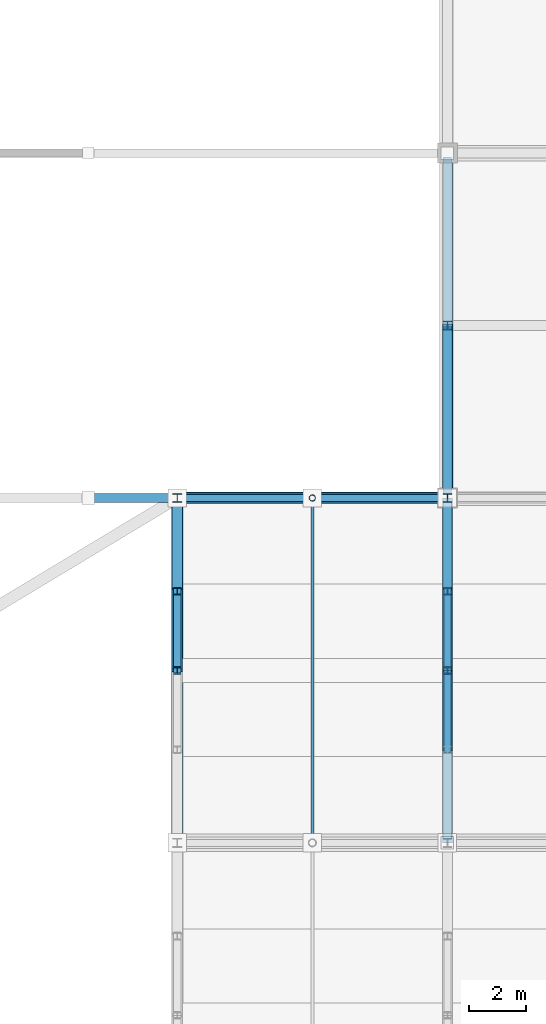
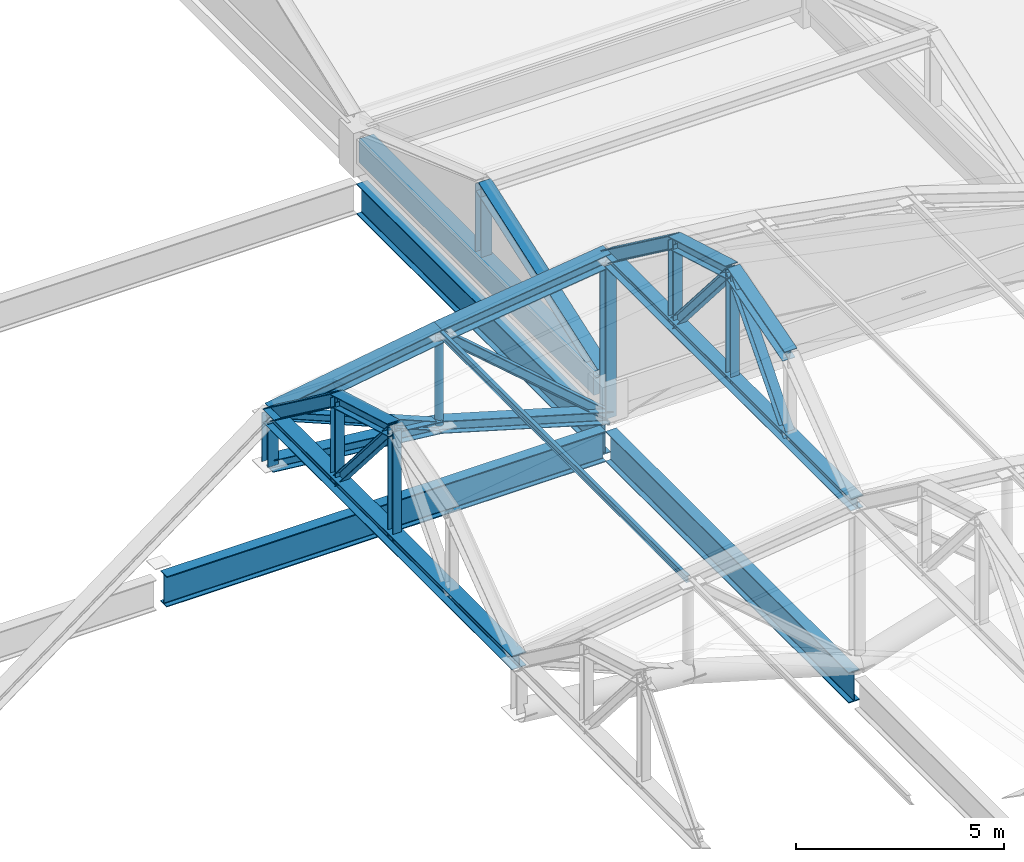
# One storey, part 74 of 117: 26 members, 4 beams.
"""IFC4 building model written with IfcOpenShell, lengths in metres."""

from ifc_helpers import new_model, si_unit, direction, frame, origin, origin_2d, place, context, subcontext, project, spatial, rectangle, hollow_circle, i_section, extrude, material, material_profile, profile_set, type_object, element, save


model = new_model("IFC4")

# Units and contexts
model_context = context("Model", 3, precision=1e-05, world=origin(), true_north=direction((0.0, 1.0)))
body_context = subcontext(model_context, "Body", "Model", "MODEL_VIEW")
ifc_project = project(units=[si_unit("LENGTHUNIT", "METRE"), si_unit("AREAUNIT", "SQUARE_METRE"), si_unit("VOLUMEUNIT", "CUBIC_METRE"), si_unit("PLANEANGLEUNIT", "RADIAN"), si_unit("MASSUNIT", "GRAM", prefix="KILO")], contexts=[model_context])

# Site, building, storey
site_placement = place(None, origin())
site = spatial("IfcSite", under=ifc_project, at=site_placement, CompositionType="ELEMENT")
building_placement = place(site_placement, origin())
building = spatial("IfcBuilding", under=site, at=building_placement, Name="Kazenohara Klinker Stadium", CompositionType="ELEMENT")
storey_placement = place(building_placement, frame((0.0, 0.0, 31.199951171875)))
storey = spatial("IfcBuildingStorey", under=building, at=storey_placement, Name="RF", CompositionType="ELEMENT", Elevation=31.199951171875)

# Beam
ifc_material_1 = material(Name="Concrete C40/50", Category="concrete")
ifc_material_profile_1 = material_profile(ifc_material_1, rectangle(XDim=0.39990234375, YDim=0.699951171875, at=origin_2d()), Name="RC-BM-400x700")
ifc_profile_set_1 = profile_set([ifc_material_profile_1], Name="Concrete C40/50")
beam_type_1 = type_object("IfcBeamType", Name="BM-RC04", PredefinedType="BEAM", material=ifc_profile_set_1)
beam_1_placement = place(storey_placement, frame((175.0, 132.35009765625, 0.75), z_axis=(0.0, 1.0, 0.0), x_axis=(-1.0, 0.0, 0.0)))
element("IfcBeam", 1, at=beam_1_placement, inside=storey, type_object=beam_type_1, Name="Turret crown eave girder BG04 RF Y14-11", PredefinedType="BEAM", context=body_context, shape_type="SweptSolid", body=[
    extrude(rectangle(XDim=0.39990234375, YDim=0.699951171875, at=origin_2d()), origin(), (0.0, 0.0, 1.0), 11.2998046875),
])

# Members
ifc_material_2 = material(Name="Steel S355", Category="steel")
ifc_material_profile_2 = material_profile(ifc_material_2, i_section(OverallWidth=0.25, OverallDepth=0.25, WebThickness=0.009033203125, FlangeThickness=0.013916015625, FilletRadius=0.012939453125, at=origin_2d()), Name="H-250x250x9x14")
ifc_profile_set_2 = profile_set([ifc_material_profile_2], Name="Steel S355")
member_type_1 = type_object("IfcMemberType", Name="MEM-BRC02", PredefinedType="BRACE", material=ifc_profile_set_2)
member_1_placement = place(storey_placement, frame((175.0, 132.0, -0.02001953125), z_axis=(-0.755945561544, 0.0, 0.65463448426), x_axis=(0.0, -1.0, 0.0)))
element("IfcMember", 2, at=member_1_placement, inside=storey, type_object=member_type_1, Name="ROOF TRUSS RT-E08 web diagonal 4", PredefinedType="BRACE", context=body_context, shape_type="SweptSolid", body=[
    extrude(i_section(OverallWidth=0.25, OverallDepth=0.25, WebThickness=0.009033203125, FlangeThickness=0.013916015625, FilletRadius=0.012939453125, at=origin_2d()), origin(), (0.0, 0.0, 1.0), 6.21728515625),
])
member_2_placement = place(storey_placement, frame((170.300048828125, 132.0, 1.35009765625), z_axis=(-0.923659284192, 0.0, 0.383214726655), x_axis=(0.0, -1.0, 0.0)))
element("IfcMember", 3, at=member_2_placement, inside=storey, type_object=member_type_1, Name="ROOF TRUSS RT-E08 web diagonal 5", PredefinedType="BRACE", context=body_context, shape_type="SweptSolid", body=[
    extrude(i_section(OverallWidth=0.25, OverallDepth=0.25, WebThickness=0.009033203125, FlangeThickness=0.013916015625, FilletRadius=0.012939453125, at=origin_2d()), origin(), (0.0, 0.0, 1.0), 5.08837890625),
])
ifc_material_profile_3 = material_profile(ifc_material_2, i_section(OverallWidth=0.39990234375, OverallDepth=0.39990234375, WebThickness=0.012939453125, FlangeThickness=0.02099609375, FilletRadius=0.02197265625, at=origin_2d()), Name="H-400x400x13x21")
ifc_profile_set_3 = profile_set([ifc_material_profile_3], Name="Steel S355")
member_type_2 = type_object("IfcMemberType", Name="MEM-CHD01", PredefinedType="CHORD", material=ifc_profile_set_3)
member_3_placement = place(storey_placement, frame((175.0, 132.0, 4.650146484375), z_axis=(-0.99194702514, 0.0, -0.126653461524), x_axis=(0.0, -1.0, 0.0)))
element("IfcMember", 4, at=member_3_placement, inside=storey, type_object=member_type_2, Name="ROOF TRUSS RT-E08 top arched chord 4", PredefinedType="CHORD", context=body_context, shape_type="SweptSolid", body=[
    extrude(i_section(OverallWidth=0.39990234375, OverallDepth=0.39990234375, WebThickness=0.012939453125, FlangeThickness=0.02099609375, FilletRadius=0.02197265625, at=origin_2d()), origin(), (0.0, 0.0, 1.0), 4.738037109375),
])
member_4_placement = place(storey_placement, frame((170.300048828125, 132.0, 4.050048828125), z_axis=(-0.987505848374, 0.0, -0.157582357602), x_axis=(0.0, -1.0, 0.0)))
element("IfcMember", 5, at=member_4_placement, inside=storey, type_object=member_type_2, Name="ROOF TRUSS RT-E08 top arched chord 5", PredefinedType="CHORD", context=body_context, shape_type="SweptSolid", body=[
    extrude(i_section(OverallWidth=0.39990234375, OverallDepth=0.39990234375, WebThickness=0.012939453125, FlangeThickness=0.02099609375, FilletRadius=0.02197265625, at=origin_2d()), origin(), (0.0, 0.0, 1.0), 4.759521484375),
])
member_5_placement = place(storey_placement, frame((165.60009765625, 132.0, 3.300048828125), z_axis=(0.0, -1.0, 0.0), x_axis=(1.0, 0.0, 0.0)))
element("IfcMember", 6, at=member_5_placement, inside=storey, type_object=member_type_2, Name="Inner tension ring chord TC01 segment 17", PredefinedType="CHORD", context=body_context, shape_type="SweptSolid", body=[
    extrude(i_section(OverallWidth=0.39990234375, OverallDepth=0.39990234375, WebThickness=0.012939453125, FlangeThickness=0.02099609375, FilletRadius=0.02197265625, at=origin_2d()), origin(), (0.0, 0.0, 1.0), 12.0),
])
ifc_material_profile_4 = material_profile(ifc_material_2, i_section(OverallWidth=0.35009765625, OverallDepth=0.35009765625, WebThickness=0.011962890625, FlangeThickness=0.01904296875, FilletRadius=0.012939453125, at=origin_2d()), Name="H-350x350x12x19")
ifc_profile_set_4 = profile_set([ifc_material_profile_4], Name="Steel S355")
member_type_3 = type_object("IfcMemberType", Name="MEM-CHD02", PredefinedType="CHORD", material=ifc_profile_set_4)
member_6_placement = place(storey_placement, frame((175.0, 132.25, 1.080078125), z_axis=(0.0, 0.943473005792, 0.331449373723), x_axis=(-1.0, 0.0, 0.0)))
element("IfcMember", 7, at=member_6_placement, inside=storey, type_object=member_type_3, Name="Crown gable rafter GT3-SW W South", PredefinedType="CHORD", context=body_context, shape_type="SweptSolid", body=[
    extrude(i_section(OverallWidth=0.35009765625, OverallDepth=0.35009765625, WebThickness=0.011962890625, FlangeThickness=0.01904296875, FilletRadius=0.012939453125, at=origin_2d()), origin(), (0.0, 0.0, 1.0), 6.094482421875),
])
member_7_placement = place(storey_placement, frame((175.0, 132.0, -0.02001953125), z_axis=(-0.960038530088, 0.0, 0.279867863012), x_axis=(0.0, -1.0, 0.0)))
element("IfcMember", 8, at=member_7_placement, inside=storey, type_object=member_type_3, Name="ROOF TRUSS RT-E08 bottom arched chord 4", PredefinedType="CHORD", context=body_context, shape_type="SweptSolid", body=[
    extrude(i_section(OverallWidth=0.35009765625, OverallDepth=0.35009765625, WebThickness=0.011962890625, FlangeThickness=0.01904296875, FilletRadius=0.012939453125, at=origin_2d()), origin(), (0.0, 0.0, 1.0), 4.8955078125),
])
member_8_placement = place(storey_placement, frame((170.300048828125, 132.0, 1.35009765625), z_axis=(-0.99438879757, 0.0, 0.105787141313), x_axis=(0.0, -1.0, 0.0)))
element("IfcMember", 9, at=member_8_placement, inside=storey, type_object=member_type_3, Name="ROOF TRUSS RT-E08 bottom arched chord 5", PredefinedType="CHORD", context=body_context, shape_type="SweptSolid", body=[
    extrude(i_section(OverallWidth=0.35009765625, OverallDepth=0.35009765625, WebThickness=0.011962890625, FlangeThickness=0.01904296875, FilletRadius=0.012939453125, at=origin_2d()), origin(), (0.0, 0.0, 1.0), 4.7265625),
])
member_9_placement = place(storey_placement, frame((175.0, 120.0, 4.650146484375), z_axis=(0.0, 1.0, 0.0), x_axis=(-1.0, 0.0, 0.0)))
element("IfcMember", 10, at=member_9_placement, inside=storey, type_object=member_type_3, Name="Barrel arch tie chord TC02 E-07-N3", PredefinedType="CHORD", context=body_context, shape_type="SweptSolid", body=[
    extrude(i_section(OverallWidth=0.35009765625, OverallDepth=0.35009765625, WebThickness=0.011962890625, FlangeThickness=0.01904296875, FilletRadius=0.012939453125, at=origin_2d()), origin(), (0.0, 0.0, 1.0), 12.0),
])
for number, where, z_axis, x_axis, name in (
    (11, (175.0, 123.239990234375, 7.050048828125), (0.0, 0.960462085918, 0.27841081429), (-1.0, 0.0, 0.0), "Barrel arch top rib TC02 E-07-N3-S2"),
    (12, (175.0, 126.0, 7.85009765625), (0.0, 0.960462085918, -0.27841081429), (-1.0, 0.0, 0.0), "Barrel arch top rib TC02 E-07-N3-S3"),
):
    element("IfcMember", number, at=place(storey_placement, frame(where, z_axis=z_axis, x_axis=x_axis)), inside=storey, type_object=member_type_3, Name=name, PredefinedType="CHORD", context=body_context, shape_type="SweptSolid", body=[
        extrude(i_section(OverallWidth=0.35009765625, OverallDepth=0.35009765625, WebThickness=0.011962890625, FlangeThickness=0.01904296875, FilletRadius=0.012939453125, at=origin_2d()), origin(), (0.0, 0.0, 1.0), 2.87353515625),
    ])
member_10_placement = place(storey_placement, frame((175.0, 128.760009765625, 7.050048828125), z_axis=(0.0, 0.803567919639, -0.595213069856), x_axis=(-1.0, 0.0, 0.0)))
element("IfcMember", 13, at=member_10_placement, inside=storey, type_object=member_type_3, Name="Barrel arch top rib TC02 E-07-N3-S4", PredefinedType="CHORD", context=body_context, shape_type="SweptSolid", body=[
    extrude(i_section(OverallWidth=0.35009765625, OverallDepth=0.35009765625, WebThickness=0.011962890625, FlangeThickness=0.01904296875, FilletRadius=0.012939453125, at=origin_2d()), origin(), (0.0, 0.0, 1.0), 4.031982421875),
])
member_11_placement = place(storey_placement, frame((165.60009765625, 126.0, 6.5), z_axis=(0.0, 0.960462085918, -0.27841081429), x_axis=(-1.0, 0.0, 0.0)))
element("IfcMember", 14, at=member_11_placement, inside=storey, type_object=member_type_3, Name="Barrel arch top rib TC02 E-07-N5-S3", PredefinedType="CHORD", context=body_context, shape_type="SweptSolid", body=[
    extrude(i_section(OverallWidth=0.35009765625, OverallDepth=0.35009765625, WebThickness=0.011962890625, FlangeThickness=0.01904296875, FilletRadius=0.012939453125, at=origin_2d()), origin(), (0.0, 0.0, 1.0), 2.87353515625),
])
member_12_placement = place(storey_placement, frame((165.60009765625, 128.760009765625, 5.699951171875), z_axis=(0.0, 0.803567919639, -0.595213069856), x_axis=(-1.0, 0.0, 0.0)))
element("IfcMember", 15, at=member_12_placement, inside=storey, type_object=member_type_3, Name="Barrel arch top rib TC02 E-07-N5-S4", PredefinedType="CHORD", context=body_context, shape_type="SweptSolid", body=[
    extrude(i_section(OverallWidth=0.35009765625, OverallDepth=0.35009765625, WebThickness=0.011962890625, FlangeThickness=0.01904296875, FilletRadius=0.012939453125, at=origin_2d()), origin(), (0.0, 0.0, 1.0), 4.031982421875),
])
ifc_material_profile_5 = material_profile(ifc_material_2, i_section(OverallWidth=0.10009765625, OverallDepth=0.199951171875, WebThickness=0.005615234375, FlangeThickness=0.008056640625, FilletRadius=0.008056640625, at=origin_2d()), Name="H-200x100x5.5x8")
ifc_profile_set_5 = profile_set([ifc_material_profile_5], Name="Steel S355")
member_type_4 = type_object("IfcMemberType", Name="MEM-PUR02", PredefinedType="PURLIN", material=ifc_profile_set_5)
member_13_placement = place(storey_placement, frame((170.300048828125, 120.0, 4.070068359375), z_axis=(0.0, 1.0, 0.0), x_axis=(-1.0, 0.0, 0.0)))
element("IfcMember", 16, at=member_13_placement, inside=storey, type_object=member_type_4, Name="Canopy valley tie purlin PR02 E-07-N4", PredefinedType="PURLIN", context=body_context, shape_type="SweptSolid", body=[
    extrude(i_section(OverallWidth=0.10009765625, OverallDepth=0.199951171875, WebThickness=0.005615234375, FlangeThickness=0.008056640625, FilletRadius=0.008056640625, at=origin_2d()), origin(), (0.0, 0.0, 1.0), 12.0),
])
ifc_material_profile_6 = material_profile(ifc_material_2, i_section(OverallWidth=0.300048828125, OverallDepth=0.300048828125, WebThickness=0.010009765625, FlangeThickness=0.014892578125, FilletRadius=0.012939453125, at=origin_2d()), Name="H-300x300x10x15")
ifc_profile_set_6 = profile_set([ifc_material_profile_6], Name="Steel S355")
member_type_5 = type_object("IfcMemberType", Name="MEM-STR01", PredefinedType="STRUT", material=ifc_profile_set_6)
member_14_placement = place(storey_placement, frame((175.0, 138.0, 1.080078125), z_axis=(0.0, 0.0, 1.0), x_axis=(1.0, 0.0, 0.0)))
element("IfcMember", 17, at=member_14_placement, inside=storey, type_object=member_type_5, Name="Crown gable king-post GT3-SW W", PredefinedType="STRUT", context=body_context, shape_type="SweptSolid", body=[
    extrude(i_section(OverallWidth=0.300048828125, OverallDepth=0.300048828125, WebThickness=0.010009765625, FlangeThickness=0.014892578125, FilletRadius=0.012939453125, at=origin_2d()), origin(), (0.0, 0.0, 1.0), 2.02001953125),
])
member_15_placement = place(storey_placement, frame((175.0, 132.0, -0.02001953125), z_axis=(0.0, 0.0, 1.0), x_axis=(1.0, 0.0, 0.0)))
element("IfcMember", 18, at=member_15_placement, inside=storey, type_object=member_type_5, Name="ROOF TRUSS RT-E08 web post 4", PredefinedType="STRUT", context=body_context, shape_type="SweptSolid", body=[
    extrude(i_section(OverallWidth=0.300048828125, OverallDepth=0.300048828125, WebThickness=0.010009765625, FlangeThickness=0.014892578125, FilletRadius=0.012939453125, at=origin_2d()), origin(), (0.0, 0.0, 1.0), 4.670166015625),
])
member_16_placement = place(storey_placement, frame((165.60009765625, 132.0, 1.85009765625), z_axis=(0.0, 0.0, 1.0), x_axis=(1.0, 0.0, 0.0)))
element("IfcMember", 19, at=member_16_placement, inside=storey, type_object=member_type_5, Name="ROOF TRUSS RT-E08 web post 6", PredefinedType="STRUT", context=body_context, shape_type="SweptSolid", body=[
    extrude(i_section(OverallWidth=0.300048828125, OverallDepth=0.300048828125, WebThickness=0.010009765625, FlangeThickness=0.014892578125, FilletRadius=0.012939453125, at=origin_2d()), origin(), (0.0, 0.0, 1.0), 1.449951171875),
])
ifc_material_profile_7 = material_profile(ifc_material_2, i_section(OverallWidth=0.25, OverallDepth=0.25, WebThickness=0.009033203125, FlangeThickness=0.013916015625, FilletRadius=0.012939453125, at=origin_2d()), Name="H-250x250x9x14")
ifc_profile_set_7 = profile_set([ifc_material_profile_7], Name="Steel S355")
member_type_6 = type_object("IfcMemberType", Name="MEM-STR02", PredefinedType="STRUT", material=ifc_profile_set_7)
member_17_placement = place(storey_placement, frame((175.0, 126.0, 4.650146484375), z_axis=(0.0, 0.0, 1.0), x_axis=(1.0, 0.0, 0.0)))
element("IfcMember", 20, at=member_17_placement, inside=storey, type_object=member_type_6, Name="Barrel arch web post TS02 E-07-N3-P2", PredefinedType="STRUT", context=body_context, shape_type="SweptSolid", body=[
    extrude(i_section(OverallWidth=0.25, OverallDepth=0.25, WebThickness=0.009033203125, FlangeThickness=0.013916015625, FilletRadius=0.012939453125, at=origin_2d()), origin(), (0.0, 0.0, 1.0), 3.199951171875),
])
member_18_placement = place(storey_placement, frame((175.0, 128.760009765625, 4.650146484375), z_axis=(0.0, 0.0, 1.0), x_axis=(1.0, 0.0, 0.0)))
element("IfcMember", 21, at=member_18_placement, inside=storey, type_object=member_type_6, Name="Barrel arch web post TS02 E-07-N3-P3", PredefinedType="STRUT", context=body_context, shape_type="SweptSolid", body=[
    extrude(i_section(OverallWidth=0.25, OverallDepth=0.25, WebThickness=0.009033203125, FlangeThickness=0.013916015625, FilletRadius=0.012939453125, at=origin_2d()), origin(), (0.0, 0.0, 1.0), 2.39990234375),
])
for number, where, z_axis, x_axis, name in (
    (22, (175.0, 123.239990234375, 4.650146484375), (0.0, 0.653133887971, 0.757242447558), (-1.0, 0.0, 0.0), "Barrel arch web diagonal TS02 E-07-N3-D1"),
    (23, (175.0, 128.760009765625, 4.650146484375), (0.0, -0.653133887971, 0.757242447558), (1.0, 0.0, 0.0), "Barrel arch web diagonal TS02 E-07-N3-D2"),
):
    element("IfcMember", number, at=place(storey_placement, frame(where, z_axis=z_axis, x_axis=x_axis)), inside=storey, type_object=member_type_6, Name=name, PredefinedType="STRUT", context=body_context, shape_type="SweptSolid", body=[
        extrude(i_section(OverallWidth=0.25, OverallDepth=0.25, WebThickness=0.009033203125, FlangeThickness=0.013916015625, FilletRadius=0.012939453125, at=origin_2d()), origin(), (0.0, 0.0, 1.0), 4.225830078125),
    ])
member_19_placement = place(storey_placement, frame((165.60009765625, 126.0, 3.300048828125), z_axis=(0.0, 0.0, 1.0), x_axis=(1.0, 0.0, 0.0)))
element("IfcMember", 24, at=member_19_placement, inside=storey, type_object=member_type_6, Name="Barrel arch web post TS02 E-07-N5-P2", PredefinedType="STRUT", context=body_context, shape_type="SweptSolid", body=[
    extrude(i_section(OverallWidth=0.25, OverallDepth=0.25, WebThickness=0.009033203125, FlangeThickness=0.013916015625, FilletRadius=0.012939453125, at=origin_2d()), origin(), (0.0, 0.0, 1.0), 3.199951171875),
])
member_20_placement = place(storey_placement, frame((165.60009765625, 128.760009765625, 3.300048828125), z_axis=(0.0, 0.0, 1.0), x_axis=(1.0, 0.0, 0.0)))
element("IfcMember", 25, at=member_20_placement, inside=storey, type_object=member_type_6, Name="Barrel arch web post TS02 E-07-N5-P3", PredefinedType="STRUT", context=body_context, shape_type="SweptSolid", body=[
    extrude(i_section(OverallWidth=0.25, OverallDepth=0.25, WebThickness=0.009033203125, FlangeThickness=0.013916015625, FilletRadius=0.012939453125, at=origin_2d()), origin(), (0.0, 0.0, 1.0), 2.39990234375),
])
member_21_placement = place(storey_placement, frame((165.60009765625, 128.760009765625, 3.300048828125), z_axis=(0.0, -0.653133887971, 0.757242447558), x_axis=(1.0, 0.0, 0.0)))
element("IfcMember", 26, at=member_21_placement, inside=storey, type_object=member_type_6, Name="Barrel arch web diagonal TS02 E-07-N5-D2", PredefinedType="STRUT", context=body_context, shape_type="SweptSolid", body=[
    extrude(i_section(OverallWidth=0.25, OverallDepth=0.25, WebThickness=0.009033203125, FlangeThickness=0.013916015625, FilletRadius=0.012939453125, at=origin_2d()), origin(), (0.0, 0.0, 1.0), 4.225830078125),
])
ifc_material_profile_8 = material_profile(ifc_material_2, hollow_circle(Radius=0.108154296875, WallThickness=0.008056640625, at=origin_2d()), Name="CHS-216.3x8")
ifc_profile_set_8 = profile_set([ifc_material_profile_8], Name="Steel S355")
member_type_7 = type_object("IfcMemberType", Name="MEM-STR04", PredefinedType="STRUT", material=ifc_profile_set_8)
member_22_placement = place(storey_placement, frame((170.300048828125, 132.0, 1.35009765625), z_axis=(0.0, 0.0, 1.0), x_axis=(1.0, 0.0, 0.0)))
element("IfcMember", 27, at=member_22_placement, inside=storey, type_object=member_type_7, Name="ROOF TRUSS RT-E08 web post 5", PredefinedType="STRUT", context=body_context, shape_type="SweptSolid", body=[
    extrude(hollow_circle(Radius=0.108154296875, WallThickness=0.008056640625, at=origin_2d()), origin(), (0.0, 0.0, 1.0), 2.699951171875),
])

# Beams
ifc_material_profile_9 = material_profile(ifc_material_2, i_section(OverallWidth=0.300048828125, OverallDepth=0.89990234375, WebThickness=0.01611328125, FlangeThickness=0.028076171875, FilletRadius=0.02197265625, at=origin_2d()), Name="H-900x300x16x28")
ifc_profile_set_9 = profile_set([ifc_material_profile_9], Name="Steel S355")
beam_type_2 = type_object("IfcBeamType", Name="RING-RB01", PredefinedType="USERDEFINED", material=ifc_profile_set_9)
for number, where, z_axis, x_axis, name in (
    (28, (175.0, 120.139892578125, -0.820068359375), (0.0, 1.0, 0.0), (-1.0, 0.0, 0.0), "Roof ring beam RB01 E-IN L-M"),
    (29, (175.0, 132.139892578125, -0.820068359375), (0.0, 1.0, 0.0), (-1.0, 0.0, 0.0), "Roof ring beam RB01 E-IN M-N"),
):
    element("IfcBeam", number, at=place(storey_placement, frame(where, z_axis=z_axis, x_axis=x_axis)), inside=storey, type_object=beam_type_2, Name=name, ObjectType="RING BEAM", PredefinedType="USERDEFINED", context=body_context, shape_type="SweptSolid", body=[
        extrude(i_section(OverallWidth=0.300048828125, OverallDepth=0.89990234375, WebThickness=0.01611328125, FlangeThickness=0.028076171875, FilletRadius=0.02197265625, at=origin_2d()), origin(), (0.0, 0.0, 1.0), 11.72021484375),
    ])
beam_2_placement = place(storey_placement, frame((162.639892578125, 132.0, -0.820068359375), z_axis=(1.0, 0.0, 0.0), x_axis=(0.0, 1.0, 0.0)))
element("IfcBeam", 30, at=beam_2_placement, inside=storey, type_object=beam_type_2, Name="Roof ring beam RB01 N-IN 14-15", ObjectType="RING BEAM", PredefinedType="USERDEFINED", context=body_context, shape_type="SweptSolid", body=[
    extrude(i_section(OverallWidth=0.300048828125, OverallDepth=0.89990234375, WebThickness=0.01611328125, FlangeThickness=0.028076171875, FilletRadius=0.02197265625, at=origin_2d()), origin(), (0.0, 0.0, 1.0), 12.22021484375),
])

save(model, "model.ifc")
